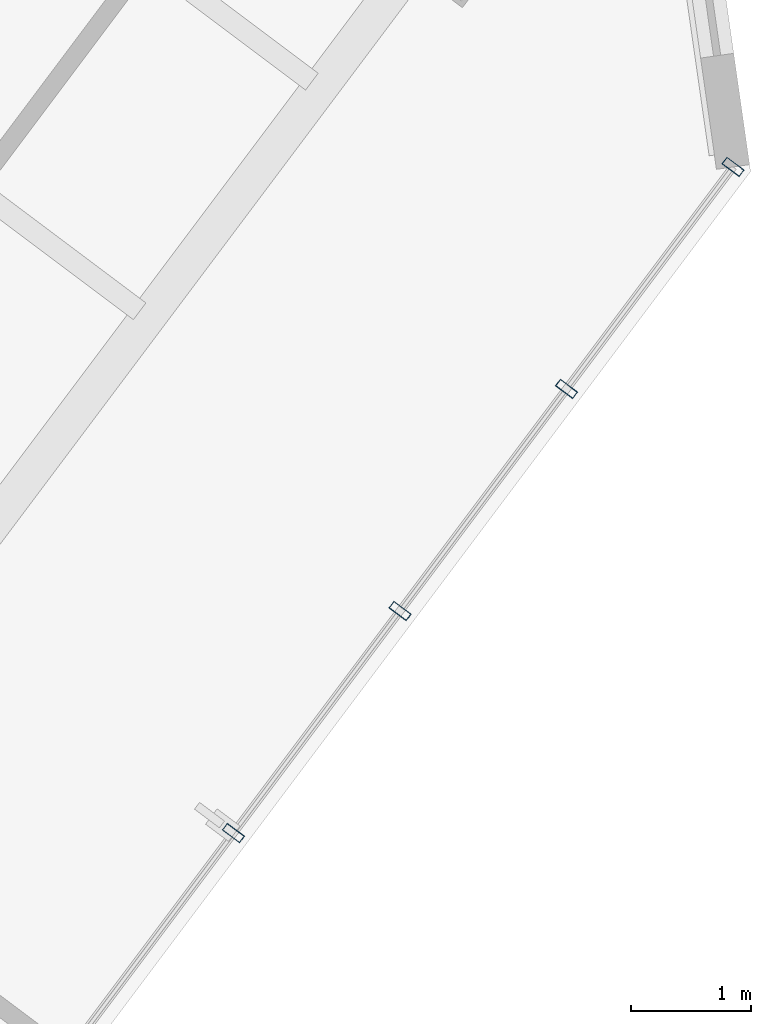
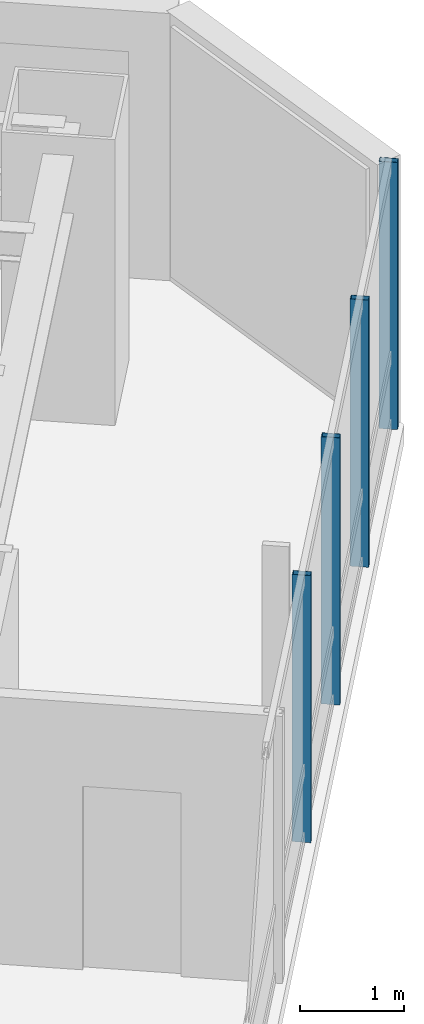
# One storey, part 19 of 37: 4 members, 1 element without a shape of its own.
"""IFC4 building model written with IfcOpenShell, lengths in metres."""

import ifcopenshell
import ifcopenshell.guid

model = None  # the IFC model being written
_history = None  # IfcOwnerHistory: only IFC2X3 demands one
_inside = {}  # id of a spatial element -> (the spatial element, [elements in it])
_under = {}  # id of a project, library or spatial element -> (it, [spatial elements below it])
_declared = {}  # id of a project -> (the project, [libraries it declares])
_typed = {}  # id of a type object -> (the type object, [elements of that type])
_made_of = {}  # id of a material, layer set ... -> (it, [elements and type objects made of it])


def new_model(schema):
    """Start an empty IFC model of exactly this schema.

    Asked for "IFC4X3", IfcOpenShell would pick the latest addendum, in which some entities
    have other attributes; the version numbers below select the first issue.
    IFC2X3 requires an IfcOwnerHistory on every rooted entity: one is made here for all.
    """
    global model, _history
    if schema == "IFC4X3":
        model = ifcopenshell.file(schema_version=(4, 3, 0, 0))
    else:
        model = ifcopenshell.file(schema=schema)
    _inside.clear()
    _under.clear()
    _declared.clear()
    _typed.clear()
    _made_of.clear()
    _history = None
    if model.schema == "IFC2X3":
        org = make("IfcOrganization", Name="unknown")
        user = make(
            "IfcPersonAndOrganization",
            ThePerson=make("IfcPerson", FamilyName="unknown"),
            TheOrganization=org,
        )
        app = make(
            "IfcApplication",
            ApplicationDeveloper=org,
            Version="unknown",
            ApplicationFullName="unknown",
            ApplicationIdentifier="unknown",
        )
        _history = make(
            "IfcOwnerHistory",
            OwningUser=user,
            OwningApplication=app,
            ChangeAction="ADDED",
            CreationDate=0,
        )
    return model


def make(cls, **values):
    """One entity of the class cls with the attributes given. An attribute that is None is left unset."""
    return model.create_entity(
        cls, **{name: value for name, value in values.items() if value is not None}
    )


def rooted(cls, **values):
    """An entity with a GlobalId (a new one), such as an element, a storey or a relation."""
    return make(cls, GlobalId=ifcopenshell.guid.new(), OwnerHistory=_history, **values)


def si_unit(unit_type, name, prefix=None):
    """IfcSIUnit, for example si_unit("LENGTHUNIT", "METRE", prefix="MILLI")."""
    return make("IfcSIUnit", UnitType=unit_type, Prefix=prefix, Name=name)


def assignment(units):
    """IfcUnitAssignment: the units of a project."""
    return None if units is None else make("IfcUnitAssignment", Units=units)


def point(xyz):
    """IfcCartesianPoint."""
    return None if xyz is None else make("IfcCartesianPoint", Coordinates=xyz)


def direction(xyz):
    """IfcDirection."""
    return None if xyz is None else make("IfcDirection", DirectionRatios=xyz)


def frame(location, z_axis=None, x_axis=None):
    """IfcAxis2Placement3D, a coordinate frame: its origin and axes. An axis left out is left unset."""
    return make(
        "IfcAxis2Placement3D",
        Location=point(location),
        Axis=direction(z_axis),
        RefDirection=direction(x_axis),
    )


def frame_2d(location, x_axis=None):
    """IfcAxis2Placement2D, a coordinate frame in the plane: its origin and x axis."""
    return make(
        "IfcAxis2Placement2D", Location=point(location), RefDirection=direction(x_axis)
    )


def origin():
    """The frame at (0, 0, 0) with its axes left unset."""
    return frame((0.0, 0.0, 0.0))


def origin_2d():
    """The frame at (0, 0) in the plane with its x axis left unset."""
    return frame_2d((0.0, 0.0))


def place(relative_to, where):
    """IfcLocalPlacement: puts the frame where relative to a parent placement (None: the world)."""
    return make(
        "IfcLocalPlacement", PlacementRelTo=relative_to, RelativePlacement=where
    )


def context(
    kind, dimensions, precision=None, world=None, true_north=None, identifier=None
):
    """IfcGeometricRepresentationContext, for example the 3D "Model" context."""
    return make(
        "IfcGeometricRepresentationContext",
        ContextIdentifier=identifier,
        ContextType=kind,
        CoordinateSpaceDimension=dimensions,
        Precision=precision,
        WorldCoordinateSystem=world,
        TrueNorth=true_north,
    )


def subcontext(parent, identifier, kind, view, scale=None):
    """IfcGeometricRepresentationSubContext, for example "Body" below "Model"."""
    return make(
        "IfcGeometricRepresentationSubContext",
        ContextIdentifier=identifier,
        ContextType=kind,
        ParentContext=parent,
        TargetScale=scale,
        TargetView=view,
    )


def project(units=None, contexts=None):
    """IfcProject with its units and contexts."""
    return rooted(
        "IfcProject",
        Name="project",
        RepresentationContexts=contexts,
        UnitsInContext=assignment(units),
    )


def spatial(cls, under=None, at=None, **own):
    """A site, building, storey or space (cls), placed at a placement, below another one or the project."""
    s = rooted(cls, ObjectPlacement=at, **own)
    if under is not None:
        _under.setdefault(under.id(), (under, []))[1].append(s)
    return s


def profile(cls, at=None, kind="AREA", **sizes):
    """A parametric profile (cls). Its sizes go by their IFC names, for example OverallWidth=200.0."""
    return make(cls, ProfileType=kind, Position=at, **sizes)


def hollow_rectangle(**sizes):
    """IfcRectangleHollowProfileDef."""
    return profile("IfcRectangleHollowProfileDef", **sizes)


def extrude(swept, where, along, depth):
    """IfcExtrudedAreaSolid: the profile swept, set in the frame where, extruded along a direction by depth."""
    return make(
        "IfcExtrudedAreaSolid",
        SweptArea=swept,
        Position=where,
        ExtrudedDirection=direction(along),
        Depth=depth,
    )


def shape(context_of_items, identifier, shape_type, items):
    """IfcShapeRepresentation: the items that make up one representation, for example the "Body"."""
    return make(
        "IfcShapeRepresentation",
        ContextOfItems=context_of_items,
        RepresentationIdentifier=identifier,
        RepresentationType=shape_type,
        Items=items,
    )


def material(Name=None, Category=None):
    """IfcMaterial."""
    return make("IfcMaterial", Name=Name, Category=Category)


def layer(
    of_material, thickness, ventilated=None, Name=None, Category=None, Priority=None
):
    """IfcMaterialLayer: one layer of a wall or slab, of a material (None: an air gap)."""
    return make(
        "IfcMaterialLayer",
        Material=of_material,
        LayerThickness=thickness,
        IsVentilated=ventilated,
        Name=Name,
        Category=Category,
        Priority=Priority,
    )


def layer_set(layers, Name=None):
    """IfcMaterialLayerSet."""
    return make("IfcMaterialLayerSet", MaterialLayers=layers, LayerSetName=Name)


def material_profile(
    of_material, cross_section, Name=None, Category=None, Priority=None
):
    """IfcMaterialProfile: a cross section and its material."""
    return make(
        "IfcMaterialProfile",
        Name=Name,
        Material=of_material,
        Profile=cross_section,
        Priority=Priority,
        Category=Category,
    )


def profile_set(profiles, Name=None, composite=None):
    """IfcMaterialProfileSet."""
    return make(
        "IfcMaterialProfileSet",
        Name=Name,
        MaterialProfiles=profiles,
        CompositeProfile=composite,
    )


def made_of(thing, what):
    """Note that an element or type object is made of a material, layer set ...; save() writes the relation."""
    if what is not None:
        _made_of.setdefault(what.id(), (what, []))[1].append(thing)
    return thing


def type_object(cls, material=None, **own):
    """A type object (cls), such as IfcWallType, which elements share."""
    return made_of(rooted(cls, **own), material)


def element(
    cls,
    number,
    at=None,
    inside=None,
    cuts=None,
    type_object=None,
    material=None,
    context=None,
    identifier="Body",
    shape_type=None,
    held_by="IfcProductDefinitionShape",
    body=None,
    shapes=None,
    **own,
):
    """One element of the class cls, such as IfcWall. Its Tag is "e" and its number.

    at: its placement. inside: the storey or other place that contains it. cuts: it is an
    opening in that element (IfcRelVoidsElement). A single representation is given by context,
    identifier, shape_type and body (its items); several are given by shapes. held_by: the class
    of the entity that holds the representations. save() writes the other relations.
    """
    e = rooted(cls, Tag="e%d" % number, ObjectPlacement=at, **own)
    if body is not None:
        shapes = [shape(context, identifier, shape_type, body)]
    if shapes is not None:
        e.Representation = make(held_by, Representations=shapes)
    if inside is not None:
        _inside.setdefault(inside.id(), (inside, []))[1].append(e)
    if cuts is not None:
        rooted(
            "IfcRelVoidsElement", RelatingBuildingElement=cuts, RelatedOpeningElement=e
        )
    if type_object is not None:
        _typed.setdefault(type_object.id(), (type_object, []))[1].append(e)
    return made_of(e, material)


def aggregate(whole, parts):
    """IfcRelAggregates: a whole, such as a stair, and the parts it consists of."""
    return rooted("IfcRelAggregates", RelatingObject=whole, RelatedObjects=parts)


def save(model, path):
    """Write the relations noted so far, then the file.

    IfcRelAggregates (storeys below a building ...), IfcRelContainedInSpatialStructure (elements
    in a storey), IfcRelDefinesByType, IfcRelAssociatesMaterial and IfcRelDeclares: one each for
    every whole, place, type object, material and project.
    """
    for whole, parts in _under.values():
        aggregate(whole, parts)
    for where, things in _inside.values():
        rooted(
            "IfcRelContainedInSpatialStructure",
            RelatedElements=things,
            RelatingStructure=where,
        )
    for kind, things in _typed.values():
        rooted("IfcRelDefinesByType", RelatedObjects=things, RelatingType=kind)
    for what, things in _made_of.values():
        rooted("IfcRelAssociatesMaterial", RelatedObjects=things, RelatingMaterial=what)
    for by, libraries in _declared.values():
        rooted("IfcRelDeclares", RelatingContext=by, RelatedDefinitions=libraries)
    model.write(path)


model = new_model("IFC4")

# Units and contexts
model_context = context("Model", 3, precision=1e-05, world=origin(), true_north=direction((0.0, 1.0)))
body_context = subcontext(model_context, "Body", "Model", "MODEL_VIEW")
ifc_project = project(units=[si_unit("LENGTHUNIT", "METRE"), si_unit("AREAUNIT", "SQUARE_METRE"), si_unit("VOLUMEUNIT", "CUBIC_METRE"), si_unit("PLANEANGLEUNIT", "RADIAN"), si_unit("MASSUNIT", "GRAM", prefix="KILO")], contexts=[model_context])

# Site, building, storey
site_placement = place(None, origin())
site = spatial("IfcSite", under=ifc_project, at=site_placement, CompositionType="ELEMENT")
building_placement = place(site_placement, origin())
building = spatial("IfcBuilding", under=site, at=building_placement, Name="Hatsunagi Terrace Concourse", CompositionType="ELEMENT")
storey_placement = place(building_placement, frame((0.0, 0.0, 50.0)))
storey = spatial("IfcBuildingStorey", under=building, at=storey_placement, Name="L12", CompositionType="ELEMENT", Elevation=50.0)

# Curtain wall, members
ifc_material_1 = material(Name="Anodised Aluminium Alloy 6063-T5", Category="aluminium")
ifc_layer = layer(ifc_material_1, 0.199951171875)
ifc_layer_set = layer_set([ifc_layer], Name="HotelFacade_CW02")
curtain_wall_type = type_object("IfcCurtainWallType", Name="HotelFacade_CW02", PredefinedType="NOTDEFINED", material=ifc_layer_set)
curtain_wall_placement = place(storey_placement, origin())
curtain_wall = element("IfcCurtainWall", 1, at=curtain_wall_placement, inside=storey, type_object=curtain_wall_type, Name="Unitised Curtain Wall CW-02 CW-L12-03", PredefinedType="NOTDEFINED")
ifc_material_2 = material(Name="Anodised Aluminium Alloy 6063-T5", Category="aluminium")
ifc_material_profile = material_profile(ifc_material_2, hollow_rectangle(XDim=0.070068359375, YDim=0.179931640625, WallThickness=0.00390625, at=origin_2d()), Name="ALU-MUL-180x70x4")
ifc_profile_set = profile_set([ifc_material_profile], Name="Anodised Aluminium Alloy 6063-T5")
member_type = type_object("IfcMemberType", Name="CurtainWallMullion_180x70", PredefinedType="MULLION", material=ifc_profile_set)
member_1_placement = place(storey_placement, frame((69.093017578125, 19.657958984375, 0.0), z_axis=(0.0, 0.0, 1.0), x_axis=(-0.599969314634, -0.800023013105, 0.0)))
member_1 = element("IfcMember", 2, at=member_1_placement, type_object=member_type, Name="Curtain Wall Mullion MUL-02", PredefinedType="MULLION", context=body_context, shape_type="SweptSolid", body=[
    extrude(hollow_rectangle(XDim=0.070068359375, YDim=0.179931640625, WallThickness=0.00390625, at=origin_2d()), origin(), (0.0, 0.0, 1.0), 3.1298828125),
])
member_2_placement = place(storey_placement, frame((67.700927734375, 17.802001953125, 0.0), z_axis=(0.0, 0.0, 1.0), x_axis=(-0.599969314634, -0.800023013105, 0.0)))
member_2 = element("IfcMember", 3, at=member_2_placement, type_object=member_type, Name="Curtain Wall Mullion MUL-02", PredefinedType="MULLION", context=body_context, shape_type="SweptSolid", body=[
    extrude(hollow_rectangle(XDim=0.070068359375, YDim=0.179931640625, WallThickness=0.00390625, at=origin_2d()), origin(), (0.0, 0.0, 1.0), 3.1298828125),
])
member_3_placement = place(storey_placement, frame((66.30908203125, 15.945068359375, 0.0), z_axis=(0.0, 0.0, 1.0), x_axis=(-0.599969314634, -0.800023013105, 0.0)))
member_3 = element("IfcMember", 4, at=member_3_placement, type_object=member_type, Name="Curtain Wall Mullion MUL-02", PredefinedType="MULLION", context=body_context, shape_type="SweptSolid", body=[
    extrude(hollow_rectangle(XDim=0.070068359375, YDim=0.179931640625, WallThickness=0.00390625, at=origin_2d()), origin(), (0.0, 0.0, 1.0), 3.1298828125),
])
member_4_placement = place(storey_placement, frame((64.916015625, 14.089111328125, 0.0), z_axis=(0.0, 0.0, 1.0), x_axis=(-0.599969314634, -0.800023013105, 0.0)))
member_4 = element("IfcMember", 5, at=member_4_placement, type_object=member_type, Name="Curtain Wall Mullion MUL-02", PredefinedType="MULLION", context=body_context, shape_type="SweptSolid", body=[
    extrude(hollow_rectangle(XDim=0.070068359375, YDim=0.179931640625, WallThickness=0.00390625, at=origin_2d()), origin(), (0.0, 0.0, 1.0), 3.1298828125),
])
aggregate(curtain_wall, [member_1, member_2, member_3, member_4])

save(model, "model.ifc")
